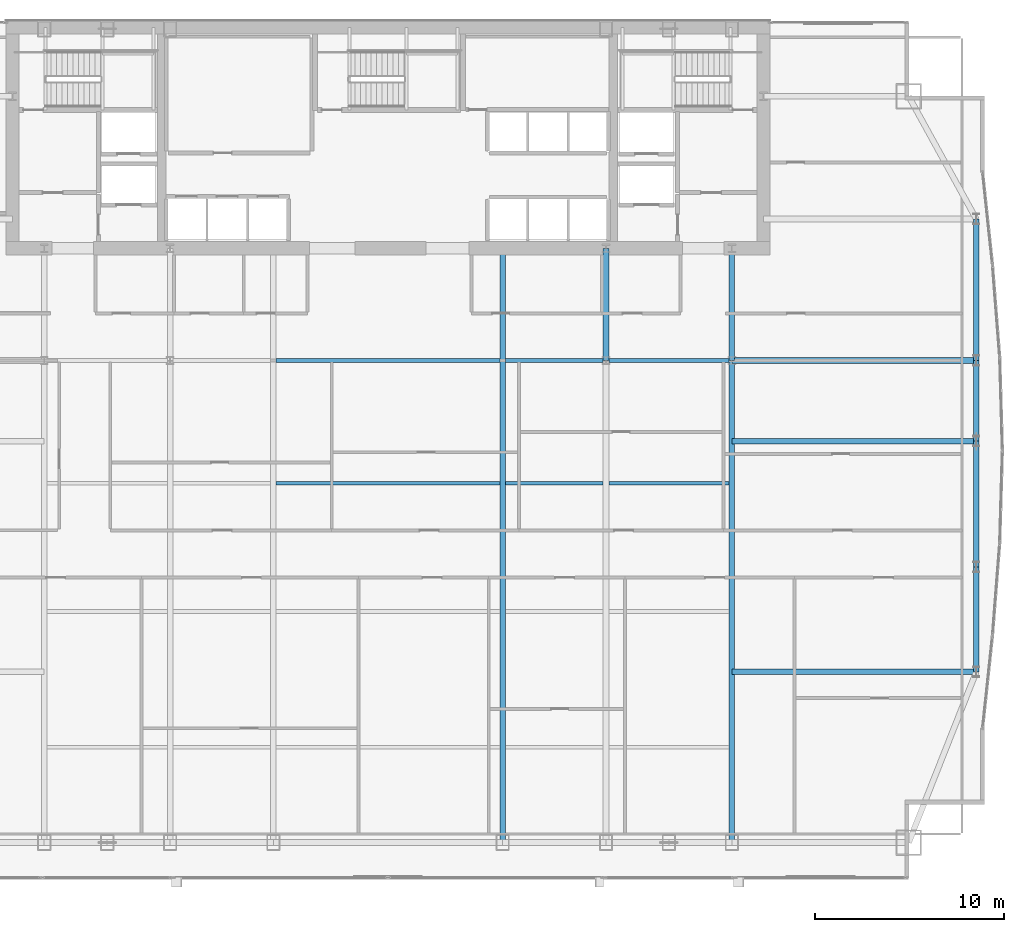
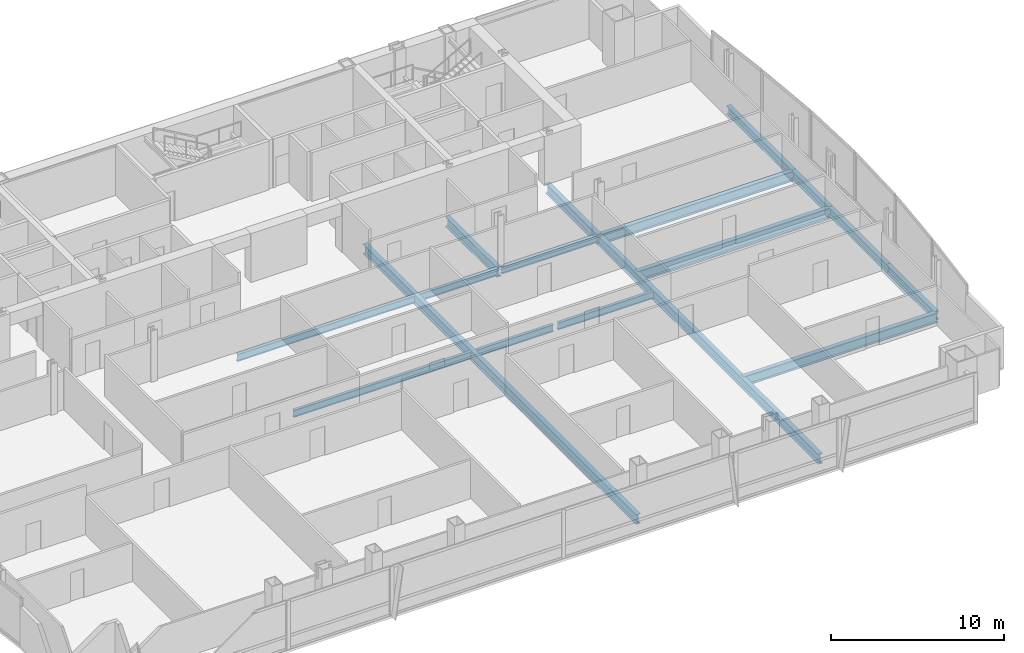
# One storey, part 16 of 29: 17 beams.
"""IFC4 building model written with IfcOpenShell, lengths in metres."""

from ifc_helpers import new_model, si_unit, direction, frame, origin, origin_2d, place, context, subcontext, project, spatial, i_section, extrude, material, material_profile, profile_set, type_object, element, save


model = new_model("IFC4")

# Units and contexts
model_context = context("Model", 3, precision=1e-05, world=origin(), true_north=direction((0.0, 1.0)))
body_context = subcontext(model_context, "Body", "Model", "MODEL_VIEW")
ifc_project = project(units=[si_unit("LENGTHUNIT", "METRE"), si_unit("AREAUNIT", "SQUARE_METRE"), si_unit("VOLUMEUNIT", "CUBIC_METRE"), si_unit("PLANEANGLEUNIT", "RADIAN"), si_unit("MASSUNIT", "GRAM", prefix="KILO")], contexts=[model_context])

# Site, building, storey
site_placement = place(None, origin())
site = spatial("IfcSite", under=ifc_project, at=site_placement, CompositionType="ELEMENT")
building_placement = place(site_placement, origin())
building = spatial("IfcBuilding", under=site, at=building_placement, Name="Khoronbel Lancet Exchange", CompositionType="ELEMENT")
storey_placement = place(building_placement, frame((0.0, 0.0, 143.39990234375)))
storey = spatial("IfcBuildingStorey", under=building, at=storey_placement, Name="L35", CompositionType="ELEMENT", Elevation=143.39990234375)

# Beams
ifc_material = material(Name="Steel S355", Category="steel")
ifc_material_profile_1 = material_profile(ifc_material, i_section(OverallWidth=0.300048828125, OverallDepth=0.699951171875, WebThickness=0.01708984375, FlangeThickness=0.031982421875, at=origin_2d()), Name="HEB 700")
ifc_profile_set_1 = profile_set([ifc_material_profile_1], Name="Steel S355")
beam_type_1 = type_object("IfcBeamType", Name="BM-BG3", PredefinedType="BEAM", material=ifc_profile_set_1)
beam_1_placement = place(storey_placement, frame((42.52490234375, 10.14990234375, -0.510009765625), z_axis=(0.0, 1.0, 0.0), x_axis=(-1.0, 0.0, 0.0)))
element("IfcBeam", 1, at=beam_1_placement, inside=storey, type_object=beam_type_1, Name="Level L35 primary floor girder G4", PredefinedType="BEAM", context=body_context, shape_type="SweptSolid", body=[
    extrude(i_section(OverallWidth=0.300048828125, OverallDepth=0.699951171875, WebThickness=0.01708984375, FlangeThickness=0.031982421875, at=origin_2d()), origin(), (0.0, 0.0, 1.0), 31.5),
])
beam_2_placement = place(storey_placement, frame((48.0, 35.699951171875, -0.510009765625), z_axis=(0.0, 1.0, 0.0), x_axis=(-1.0, 0.0, 0.0)))
element("IfcBeam", 2, at=beam_2_placement, inside=storey, type_object=beam_type_1, Name="Level L35 spine tie girder GN5", PredefinedType="BEAM", context=body_context, shape_type="SweptSolid", body=[
    extrude(i_section(OverallWidth=0.300048828125, OverallDepth=0.699951171875, WebThickness=0.01708984375, FlangeThickness=0.031982421875, at=origin_2d()), origin(), (0.0, 0.0, 1.0), 5.949951171875),
])
beam_3_placement = place(storey_placement, frame((54.675048828125, 10.14990234375, -0.510009765625), z_axis=(0.0, 1.0, 0.0), x_axis=(-1.0, 0.0, 0.0)))
element("IfcBeam", 3, at=beam_3_placement, inside=storey, type_object=beam_type_1, Name="Level L35 south primary girder GS6", PredefinedType="BEAM", context=body_context, shape_type="SweptSolid", body=[
    extrude(i_section(OverallWidth=0.300048828125, OverallDepth=0.699951171875, WebThickness=0.01708984375, FlangeThickness=0.031982421875, at=origin_2d()), origin(), (0.0, 0.0, 1.0), 25.550048828125),
])
beam_4_placement = place(storey_placement, frame((54.675048828125, 35.699951171875, -0.510009765625), z_axis=(0.0, 1.0, 0.0), x_axis=(-1.0, 0.0, 0.0)))
element("IfcBeam", 4, at=beam_4_placement, inside=storey, type_object=beam_type_1, Name="Level L35 spine tie girder GN6", PredefinedType="BEAM", context=body_context, shape_type="SweptSolid", body=[
    extrude(i_section(OverallWidth=0.300048828125, OverallDepth=0.699951171875, WebThickness=0.01708984375, FlangeThickness=0.031982421875, at=origin_2d()), origin(), (0.0, 0.0, 1.0), 5.949951171875),
])
for number, where, z_axis, x_axis, name in (
    (5, (54.675048828125, 19.199951171875, -0.510009765625), (1.0, 0.0, 0.0), (0.0, 1.0, 0.0), "Level L35 east lens tie girder LG1E"),
    (6, (54.675048828125, 31.425048828125, -0.510009765625), (1.0, 0.0, 0.0), (0.0, 1.0, 0.0), "Level L35 east lens tie girder LG2E"),
    (7, (54.675048828125, 35.699951171875, -0.510009765625), (1.0, 0.0, 0.0), (0.0, 1.0, 0.0), "Level L35 east lens tie girder LG4E"),
):
    element("IfcBeam", number, at=place(storey_placement, frame(where, z_axis=z_axis, x_axis=x_axis)), inside=storey, type_object=beam_type_1, Name=name, PredefinedType="BEAM", context=body_context, shape_type="SweptSolid", body=[
        extrude(i_section(OverallWidth=0.300048828125, OverallDepth=0.699951171875, WebThickness=0.01708984375, FlangeThickness=0.031982421875, at=origin_2d()), origin(), (0.0, 0.0, 1.0), 12.954833984375),
    ])
ifc_material_profile_2 = material_profile(ifc_material, i_section(OverallWidth=0.199951171875, OverallDepth=0.5, WebThickness=0.01025390625, FlangeThickness=0.01611328125, at=origin_2d()), Name="IPE 500")
ifc_profile_set_2 = profile_set([ifc_material_profile_2], Name="Steel S355")
beam_type_2 = type_object("IfcBeamType", Name="BM-BJ3", PredefinedType="JOIST", material=ifc_profile_set_2)
beam_5_placement = place(storey_placement, frame((30.52490234375, 29.199951171875, -0.409912109375), z_axis=(1.0, 0.0, 0.0), x_axis=(0.0, 1.0, 0.0)))
element("IfcBeam", 8, at=beam_5_placement, inside=storey, type_object=beam_type_2, Name="Level L35 secondary composite joist J13", PredefinedType="JOIST", context=body_context, shape_type="SweptSolid", body=[
    extrude(i_section(OverallWidth=0.199951171875, OverallDepth=0.5, WebThickness=0.01025390625, FlangeThickness=0.01611328125, at=origin_2d()), origin(), (0.0, 0.0, 1.0), 11.85009765625),
])
beam_6_placement = place(storey_placement, frame((42.675048828125, 29.199951171875, -0.409912109375), z_axis=(1.0, 0.0, 0.0), x_axis=(0.0, 1.0, 0.0)))
element("IfcBeam", 9, at=beam_6_placement, inside=storey, type_object=beam_type_2, Name="Level L35 secondary composite joist J14", PredefinedType="JOIST", context=body_context, shape_type="SweptSolid", body=[
    extrude(i_section(OverallWidth=0.199951171875, OverallDepth=0.5, WebThickness=0.01025390625, FlangeThickness=0.01611328125, at=origin_2d()), origin(), (0.0, 0.0, 1.0), 5.175048828125),
])
beam_7_placement = place(storey_placement, frame((48.14990234375, 29.199951171875, -0.409912109375), z_axis=(1.0, 0.0, 0.0), x_axis=(0.0, 1.0, 0.0)))
element("IfcBeam", 10, at=beam_7_placement, inside=storey, type_object=beam_type_2, Name="Level L35 secondary composite joist J15", PredefinedType="JOIST", context=body_context, shape_type="SweptSolid", body=[
    extrude(i_section(OverallWidth=0.199951171875, OverallDepth=0.5, WebThickness=0.01025390625, FlangeThickness=0.01611328125, at=origin_2d()), origin(), (0.0, 0.0, 1.0), 6.375),
])
beam_8_placement = place(storey_placement, frame((30.52490234375, 35.699951171875, -0.409912109375), z_axis=(1.0, 0.0, 0.0), x_axis=(0.0, 1.0, 0.0)))
element("IfcBeam", 11, at=beam_8_placement, inside=storey, type_object=beam_type_2, Name="Level L35 secondary composite joist J18", PredefinedType="JOIST", context=body_context, shape_type="SweptSolid", body=[
    extrude(i_section(OverallWidth=0.199951171875, OverallDepth=0.5, WebThickness=0.01025390625, FlangeThickness=0.01611328125, at=origin_2d()), origin(), (0.0, 0.0, 1.0), 11.85009765625),
])
beam_9_placement = place(storey_placement, frame((42.675048828125, 35.699951171875, -0.409912109375), z_axis=(1.0, 0.0, 0.0), x_axis=(0.0, 1.0, 0.0)))
element("IfcBeam", 12, at=beam_9_placement, inside=storey, type_object=beam_type_2, Name="Level L35 secondary composite joist J19", PredefinedType="JOIST", context=body_context, shape_type="SweptSolid", body=[
    extrude(i_section(OverallWidth=0.199951171875, OverallDepth=0.5, WebThickness=0.01025390625, FlangeThickness=0.01611328125, at=origin_2d()), origin(), (0.0, 0.0, 1.0), 5.175048828125),
])
beam_10_placement = place(storey_placement, frame((48.14990234375, 35.699951171875, -0.409912109375), z_axis=(1.0, 0.0, 0.0), x_axis=(0.0, 1.0, 0.0)))
element("IfcBeam", 13, at=beam_10_placement, inside=storey, type_object=beam_type_2, Name="Level L35 secondary composite joist J20", PredefinedType="JOIST", context=body_context, shape_type="SweptSolid", body=[
    extrude(i_section(OverallWidth=0.199951171875, OverallDepth=0.5, WebThickness=0.01025390625, FlangeThickness=0.01611328125, at=origin_2d()), origin(), (0.0, 0.0, 1.0), 6.375),
])
ifc_material_profile_3 = material_profile(ifc_material, i_section(OverallWidth=0.300048828125, OverallDepth=0.60009765625, WebThickness=0.015380859375, FlangeThickness=0.030029296875, at=origin_2d()), Name="HEB 600")
ifc_profile_set_3 = profile_set([ifc_material_profile_3], Name="Steel S355")
beam_type_3 = type_object("IfcBeamType", Name="BM-BSP2", PredefinedType="SPANDREL", material=ifc_profile_set_3)
beam_11_placement = place(storey_placement, frame((67.6298828125, 19.199951171875, -0.4599609375), z_axis=(0.0, 1.0, 0.0), x_axis=(-1.0, 0.0, 0.0)))
element("IfcBeam", 14, at=beam_11_placement, inside=storey, type_object=beam_type_3, Name="Level L35 perimeter spandrel beam SP11", PredefinedType="SPANDREL", context=body_context, shape_type="SweptSolid", body=[
    extrude(i_section(OverallWidth=0.300048828125, OverallDepth=0.60009765625, WebThickness=0.015380859375, FlangeThickness=0.030029296875, at=origin_2d()), origin(), (0.0, 0.0, 1.0), 5.550048828125),
])
beam_12_placement = place(storey_placement, frame((67.6298828125, 24.75, -0.4599609375), z_axis=(0.0, 1.0, 0.0), x_axis=(-1.0, 0.0, 0.0)))
element("IfcBeam", 15, at=beam_12_placement, inside=storey, type_object=beam_type_3, Name="Level L35 perimeter spandrel beam SP12", PredefinedType="SPANDREL", context=body_context, shape_type="SweptSolid", body=[
    extrude(i_section(OverallWidth=0.300048828125, OverallDepth=0.60009765625, WebThickness=0.015380859375, FlangeThickness=0.030029296875, at=origin_2d()), origin(), (0.0, 0.0, 1.0), 6.675048828125),
])
beam_13_placement = place(storey_placement, frame((67.6298828125, 31.425048828125, -0.4599609375), z_axis=(0.0, 1.0, 0.0), x_axis=(-1.0, 0.0, 0.0)))
element("IfcBeam", 16, at=beam_13_placement, inside=storey, type_object=beam_type_3, Name="Level L35 perimeter spandrel beam SP13", PredefinedType="SPANDREL", context=body_context, shape_type="SweptSolid", body=[
    extrude(i_section(OverallWidth=0.300048828125, OverallDepth=0.60009765625, WebThickness=0.015380859375, FlangeThickness=0.030029296875, at=origin_2d()), origin(), (0.0, 0.0, 1.0), 4.27490234375),
])
beam_14_placement = place(storey_placement, frame((67.6298828125, 35.699951171875, -0.4599609375), z_axis=(0.0, 1.0, 0.0), x_axis=(-1.0, 0.0, 0.0)))
element("IfcBeam", 17, at=beam_14_placement, inside=storey, type_object=beam_type_3, Name="Level L35 perimeter spandrel beam SP14", PredefinedType="SPANDREL", context=body_context, shape_type="SweptSolid", body=[
    extrude(i_section(OverallWidth=0.300048828125, OverallDepth=0.60009765625, WebThickness=0.015380859375, FlangeThickness=0.030029296875, at=origin_2d()), origin(), (0.0, 0.0, 1.0), 7.5),
])

save(model, "model.ifc")
